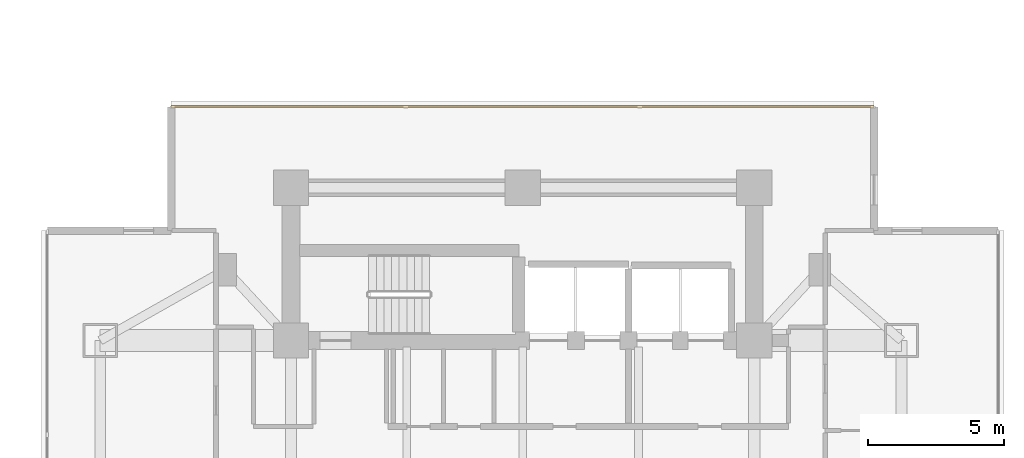
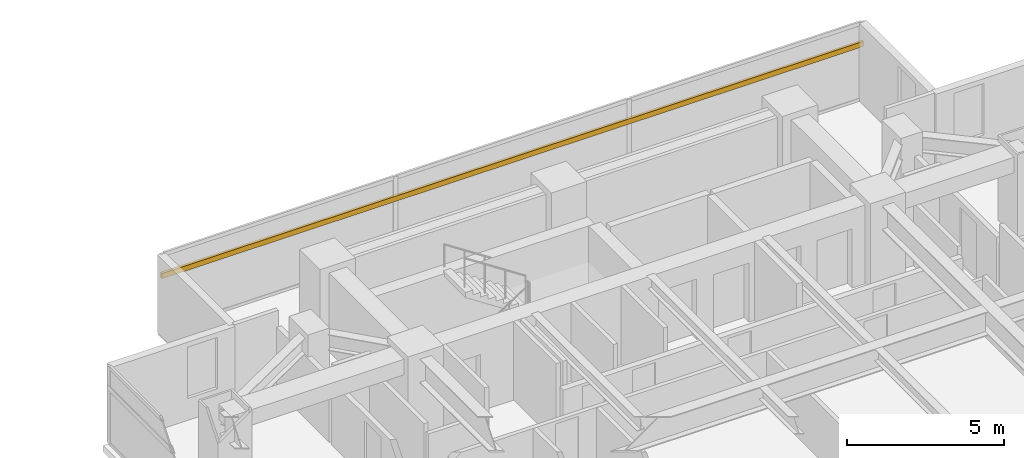
# One storey, part 27 of 27: 1 shading device.
"""IFC4 building model written with IfcOpenShell, lengths in metres."""

from ifc_helpers import new_model, si_unit, direction, frame, origin, origin_2d, place, context, subcontext, project, spatial, rectangle, extrude, material, material_profile, profile_set, type_object, element, save


model = new_model("IFC4")

# Units and contexts
model_context = context("Model", 3, precision=1e-05, world=origin(), true_north=direction((0.0, 1.0)))
body_context = subcontext(model_context, "Body", "Model", "MODEL_VIEW")
ifc_project = project(units=[si_unit("LENGTHUNIT", "METRE"), si_unit("AREAUNIT", "SQUARE_METRE"), si_unit("VOLUMEUNIT", "CUBIC_METRE"), si_unit("PLANEANGLEUNIT", "RADIAN"), si_unit("MASSUNIT", "GRAM", prefix="KILO")], contexts=[model_context])

# Site, building, storey
site_placement = place(None, origin())
site = spatial("IfcSite", under=ifc_project, at=site_placement, CompositionType="ELEMENT")
building_placement = place(site_placement, origin())
building = spatial("IfcBuilding", under=site, at=building_placement, Name="Mirazonda Arch Towers", CompositionType="ELEMENT")
storey_placement = place(building_placement, frame((0.0, 0.0, 52.10009765625)))
storey = spatial("IfcBuildingStorey", under=building, at=storey_placement, Name="L14", CompositionType="ELEMENT", Elevation=52.10009765625)

# Shading device
ifc_material = material(Name="Kiln-Fired Architectural Terracotta", Category="masonry")
ifc_material_profile = material_profile(ifc_material, rectangle(XDim=0.10009765625, YDim=0.199951171875, at=origin_2d()), Name="TERRA-BAG-100x200")
ifc_profile_set = profile_set([ifc_material_profile], Name="Kiln-Fired Architectural Terracotta")
shading_device_type = type_object("IfcShadingDeviceType", Name="BAGUETTE-2", PredefinedType="USERDEFINED", material=ifc_profile_set)
shading_device_placement = place(storey_placement, frame((63.60595703125, 43.77587890625, 2.188720703125), z_axis=(1.0, 0.0, 0.0), x_axis=(0.0, 1.0, 0.0)))
element("IfcShadingDevice", 1, at=shading_device_placement, inside=storey, type_object=shading_device_type, Name="L14 Glazed Terracotta Sun-Screen Baguette CW-L14-T2-N", ObjectType="BAGUETTE", PredefinedType="USERDEFINED", context=body_context, shape_type="SweptSolid", body=[
    extrude(rectangle(XDim=0.10009765625, YDim=0.199951171875, at=origin_2d()), origin(), (0.0, 0.0, 1.0), 25.7880859375),
])

save(model, "model.ifc")
